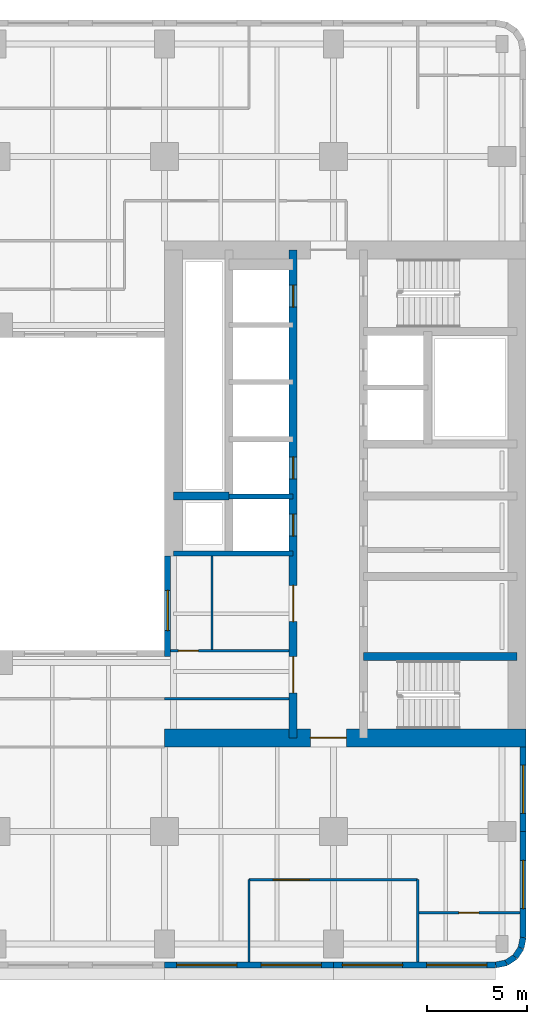
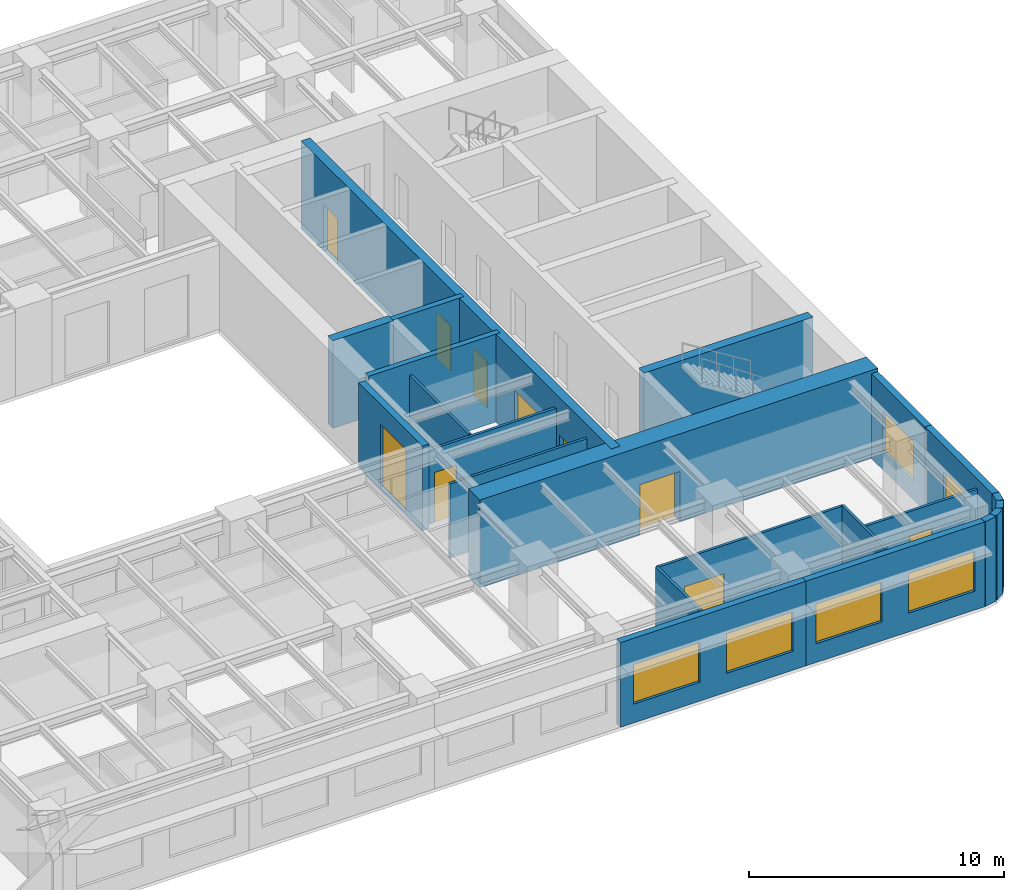
# One storey, part 5 of 11: 22 walls, 9 doors, 7 windows, 16 openings.
"""IFC4 building model written with IfcOpenShell, lengths in metres."""

from ifc_helpers import new_model, si_unit, direction, frame, frame_2d, origin, place, context, subcontext, project, spatial, rectangle, extrude, material, layer, layer_set, type_object, element, fill, save


model = new_model("IFC4")

# Units and contexts
model_context = context("Model", 3, precision=1e-05, world=origin(), true_north=direction((0.0, 1.0)))
body_context = subcontext(model_context, "Body", "Model", "MODEL_VIEW")
ifc_project = project(units=[si_unit("LENGTHUNIT", "METRE"), si_unit("AREAUNIT", "SQUARE_METRE"), si_unit("VOLUMEUNIT", "CUBIC_METRE"), si_unit("PLANEANGLEUNIT", "RADIAN"), si_unit("MASSUNIT", "GRAM", prefix="KILO")], contexts=[model_context])

# Site, building, storey
site_placement = place(None, origin())
site = spatial("IfcSite", under=ifc_project, at=site_placement, CompositionType="ELEMENT")
building_placement = place(site_placement, origin())
building = spatial("IfcBuilding", under=site, at=building_placement, Name="Claustro Exchange Tower", CompositionType="ELEMENT")
storey_placement = place(building_placement, frame((0.0, 0.0, 117.60009765625)))
storey = spatial("IfcBuildingStorey", under=building, at=storey_placement, Name="L26", CompositionType="ELEMENT", Elevation=117.60009765625)

# Wall, opening, door
ifc_material_1 = material(Name="Laminated glass in aluminium frame", Category="aluminium")
ifc_layer_1 = layer(ifc_material_1, 0.1201171875)
ifc_layer_set_1 = layer_set([ifc_layer_1], Name="Laminated glass in aluminium frame")
wall_type_1 = type_object("IfcWallType", Name="P2 120 glazed partition", PredefinedType="PARTITIONING", material=ifc_layer_set_1)
wall_1_placement = place(storey_placement, frame((33.89794921875, 17.39990234375, 0.0), z_axis=(0.0, 0.0, 1.0), x_axis=(1.0, 0.0, 0.0)))
wall_1 = element("IfcWall", 1, at=wall_1_placement, inside=storey, type_object=wall_type_1, Name="Partition P2 L26", PredefinedType="PARTITIONING", context=body_context, shape_type="SweptSolid", body=[
    extrude(rectangle(XDim=5.904052734375, YDim=0.1201171875, at=frame_2d((2.9521484375, 0.0))), origin(), (0.0, 0.0, 1.0), 3.5498046875),
])
opening_1_placement = place(wall_1_placement, frame((0.3798828125, 0.0, 0.0)))
opening_1 = element("IfcOpeningElement", 2, at=opening_1_placement, cuts=wall_1, Name="Opening D7", PredefinedType="OPENING", context=body_context, shape_type="SweptSolid", body=[
    extrude(rectangle(XDim=1.0, YDim=2.39990234375, at=frame_2d((0.5, 1.199951171875))), frame((0.0, 0.070068359375, 0.0), z_axis=(0.0, -1.0, 0.0), x_axis=(1.0, 0.0, 0.0)), (0.0, 0.0, 1.0), 0.14013671875),
])
ifc_material_2 = material(Name="Glass door in aluminium frame", Category="aluminium")
door_type_1 = type_object("IfcDoorType", Name="D7 1000 x 2400 glazed door", OperationType="SINGLE_SWING_LEFT", PredefinedType="DOOR", material=ifc_material_2)
door_1_placement = place(opening_1_placement, origin())
door_1 = element("IfcDoor", 3, at=door_1_placement, inside=storey, type_object=door_type_1, Name="Door D7 L26", OperationType="SINGLE_SWING_RIGHT", OverallHeight=2.39990234375, OverallWidth=1.0, PredefinedType="DOOR", context=body_context, shape_type="SweptSolid", body=[
    extrude(rectangle(XDim=1.0, YDim=2.39990234375, at=frame_2d((0.5, 1.199951171875))), frame((0.0, 0.02490234375, 0.0), z_axis=(0.0, -1.0, 0.0), x_axis=(1.0, 0.0, 0.0)), (0.0, 0.0, 1.0), 0.050048828125),
])
fill(opening_1, door_1)

# Wall
wall_2_placement = place(storey_placement, frame((35.9560546875, 17.4580078125, 0.0), z_axis=(0.0, 0.0, 1.0), x_axis=(0.0, 1.0, 0.0)))
element("IfcWall", 4, at=wall_2_placement, inside=storey, type_object=wall_type_1, Name="Partition P2 L26", PredefinedType="PARTITIONING", context=body_context, shape_type="SweptSolid", body=[
    extrude(rectangle(XDim=4.64404296875, YDim=0.1201171875, at=frame_2d((2.322021484375, 0.0))), origin(), (0.0, 0.0, 1.0), 3.599853515625),
])

# Wall, opening, door
wall_3_placement = place(storey_placement, frame((46.258056640625, 4.35009765625, 0.0), z_axis=(0.0, 0.0, 1.0), x_axis=(1.0, 0.0, 0.0)))
wall_3 = element("IfcWall", 5, at=wall_3_placement, inside=storey, type_object=wall_type_1, Name="Partition P2 L26", PredefinedType="PARTITIONING", context=body_context, shape_type="SweptSolid", body=[
    extrude(rectangle(XDim=5.0439453125, YDim=0.1201171875, at=frame_2d((2.52197265625, 0.0))), origin(), (0.0, 0.0, 1.0), 3.559814453125),
])
opening_2_placement = place(wall_3_placement, frame((1.991943359375, 0.0, 0.0)))
opening_2 = element("IfcOpeningElement", 6, at=opening_2_placement, cuts=wall_3, Name="Opening D7", PredefinedType="OPENING", context=body_context, shape_type="SweptSolid", body=[
    extrude(rectangle(XDim=1.0, YDim=2.39990234375, at=frame_2d((0.5, 1.199951171875))), frame((0.0, 0.070068359375, 0.0), z_axis=(0.0, -1.0, 0.0), x_axis=(1.0, 0.0, 0.0)), (0.0, 0.0, 1.0), 0.14013671875),
])
door_2_placement = place(opening_2_placement, frame((1.0, 0.0, 0.0), z_axis=(0.0, 0.0, 1.0), x_axis=(-1.0, 0.0, 0.0)))
door_2 = element("IfcDoor", 7, at=door_2_placement, inside=storey, type_object=door_type_1, Name="Door D7 L26", OperationType="SINGLE_SWING_RIGHT", OverallHeight=2.39990234375, OverallWidth=1.0, PredefinedType="DOOR", context=body_context, shape_type="SweptSolid", body=[
    extrude(rectangle(XDim=1.0, YDim=2.39990234375, at=frame_2d((0.5, 1.199951171875))), frame((0.0, 0.02490234375, 0.0), z_axis=(0.0, -1.0, 0.0), x_axis=(1.0, 0.0, 0.0)), (0.0, 0.0, 1.0), 0.050048828125),
])
fill(opening_2, door_2)

wall_4_placement = place(storey_placement, frame((37.800048828125, 6.0, 0.0), z_axis=(0.0, 0.0, 1.0), x_axis=(1.0, 0.0, 0.0)))
wall_4 = element("IfcWall", 8, at=wall_4_placement, inside=storey, type_object=wall_type_1, Name="Partition P2 L26", PredefinedType="PARTITIONING", context=body_context, shape_type="SweptSolid", body=[
    extrude(rectangle(XDim=8.39990234375, YDim=0.1201171875, at=frame_2d((4.199951171875, 0.0))), origin(), (0.0, 0.0, 1.0), 3.5498046875),
])
opening_3_placement = place(wall_4_placement, frame((1.199951171875, 0.0, 0.0)))
opening_3 = element("IfcOpeningElement", 9, at=opening_3_placement, cuts=wall_4, Name="Opening D2", PredefinedType="OPENING", context=body_context, shape_type="SweptSolid", body=[
    extrude(rectangle(XDim=1.800048828125, YDim=2.199951171875, at=frame_2d((0.89990234375, 1.10009765625))), frame((0.0, 0.070068359375, 0.0), z_axis=(0.0, -1.0, 0.0), x_axis=(1.0, 0.0, 0.0)), (0.0, 0.0, 1.0), 0.14013671875),
])
ifc_material_3 = material(Name="Timber door, oak veneer", Category="wood")
door_type_2 = type_object("IfcDoorType", Name="D2 1800 x 2200 double door", OperationType="DOUBLE_DOOR_SINGLE_SWING", PredefinedType="DOOR", material=ifc_material_3)
door_3_placement = place(opening_3_placement, frame((1.800048828125, 0.0, 0.0), z_axis=(0.0, 0.0, 1.0), x_axis=(-1.0, 0.0, 0.0)))
door_3 = element("IfcDoor", 10, at=door_3_placement, inside=storey, type_object=door_type_2, Name="Double door D2 L26", OperationType="DOUBLE_DOOR_SINGLE_SWING", OverallHeight=2.199951171875, OverallWidth=1.800048828125, PredefinedType="DOOR", context=body_context, shape_type="SweptSolid", body=[
    extrude(rectangle(XDim=1.800048828125, YDim=2.199951171875, at=frame_2d((0.89990234375, 1.10009765625))), frame((0.0, 0.02490234375, 0.0), z_axis=(0.0, -1.0, 0.0), x_axis=(1.0, 0.0, 0.0)), (0.0, 0.0, 1.0), 0.050048828125),
])
fill(opening_3, door_3)

# Walls
for number, where, z_axis, x_axis, name in (
    (11, (37.800048828125, 1.89794921875, 0.0), (0.0, 0.0, 1.0), (0.0, 1.0, 0.0), "Partition P2 L26"),
    (12, (46.199951171875, 1.89794921875, 0.0), (0.0, 0.0, 1.0), (0.0, 1.0, 0.0), "Partition P2 L26"),
):
    element("IfcWall", number, at=place(storey_placement, frame(where, z_axis=z_axis, x_axis=x_axis)), inside=storey, type_object=wall_type_1, Name=name, PredefinedType="PARTITIONING", context=body_context, shape_type="SweptSolid", body=[
        extrude(rectangle(XDim=4.10205078125, YDim=0.1201171875, at=frame_2d((2.051025390625, 0.0))), origin(), (0.0, 0.0, 1.0), 3.559814453125),
    ])
wall_5_placement = place(storey_placement, frame((33.597900390625, 15.0, 0.0), z_axis=(0.0, 0.0, 1.0), x_axis=(1.0, 0.0, 0.0)))
element("IfcWall", 13, at=wall_5_placement, inside=storey, type_object=wall_type_1, Name="Partition P2 L26", PredefinedType="PARTITIONING", context=body_context, shape_type="SweptSolid", body=[
    extrude(rectangle(XDim=6.2041015625, YDim=0.1201171875, at=frame_2d((3.10205078125, 0.0))), origin(), (0.0, 0.0, 1.0), 3.5498046875),
])

# Wall, openings, windows
ifc_material_4 = material(Name="Concrete HA-40 (C40/50), precast, white cement, acid-etched", Category="concrete")
ifc_layer_2 = layer(ifc_material_4, 0.300048828125)
ifc_layer_set_2 = layer_set([ifc_layer_2], Name="Concrete HA-40 (C40/50), precast, white cement, acid-etched")
wall_type_2 = type_object("IfcWallType", Name="PC1 300 precast concrete pier panel", PredefinedType="SOLIDWALL", material=ifc_layer_set_2)
wall_6_placement = place(storey_placement, frame((50.085205078125, 1.75, 0.0), z_axis=(0.0, 0.0, 1.0), x_axis=(-1.0, 0.0, 0.0)))
wall_6 = element("IfcWall", 14, at=wall_6_placement, inside=storey, type_object=wall_type_2, Name="Precast pier panel PC1 L26", PredefinedType="SOLIDWALL", context=body_context, shape_type="SweptSolid", body=[
    extrude(rectangle(XDim=8.085205078125, YDim=0.300048828125, at=frame_2d((4.04248046875, 0.0))), origin(), (0.0, 0.0, 1.0), 4.0498046875),
])
opening_4_placement = place(wall_6_placement, frame((0.442626953125, 0.0, 0.89990234375)))
opening_4 = element("IfcOpeningElement", 15, at=opening_4_placement, cuts=wall_6, Name="Opening W1", PredefinedType="OPENING", context=body_context, shape_type="SweptSolid", body=[
    extrude(rectangle(XDim=3.0, YDim=1.89990234375, at=frame_2d((1.5, 0.949951171875))), frame((0.0, 0.159912109375, 0.0), z_axis=(0.0, -1.0, 0.0), x_axis=(1.0, 0.0, 0.0)), (0.0, 0.0, 1.0), 0.320068359375),
])
opening_5_placement = place(wall_6_placement, frame((4.642578125, 0.0, 0.89990234375)))
opening_5 = element("IfcOpeningElement", 16, at=opening_5_placement, cuts=wall_6, Name="Opening W1", PredefinedType="OPENING", context=body_context, shape_type="SweptSolid", body=[
    extrude(rectangle(XDim=3.0, YDim=1.89990234375, at=frame_2d((1.5, 0.949951171875))), frame((0.0, 0.159912109375, 0.0), z_axis=(0.0, -1.0, 0.0), x_axis=(1.0, 0.0, 0.0)), (0.0, 0.0, 1.0), 0.320068359375),
])
ifc_material_5 = material(Name="Aluminium frame, clear double glazing", Category="aluminium")
window_type_1 = type_object("IfcWindowType", Name="W1 3000 x 1900 window", PartitioningType="SINGLE_PANEL", PredefinedType="WINDOW", material=ifc_material_5)
window_1_placement = place(opening_4_placement, origin())
window_1 = element("IfcWindow", 17, at=window_1_placement, inside=storey, type_object=window_type_1, Name="Window W1 L26", OverallHeight=1.89990234375, OverallWidth=3.0, PartitioningType="SINGLE_PANEL", PredefinedType="WINDOW", context=body_context, shape_type="SweptSolid", body=[
    extrude(rectangle(XDim=3.0, YDim=1.89990234375, at=frame_2d((1.5, 0.949951171875))), frame((0.0, 0.030029296875, 0.0), z_axis=(0.0, -1.0, 0.0), x_axis=(1.0, 0.0, 0.0)), (0.0, 0.0, 1.0), 0.06005859375),
])
fill(opening_4, window_1)
window_2_placement = place(opening_5_placement, origin())
window_2 = element("IfcWindow", 18, at=window_2_placement, inside=storey, type_object=window_type_1, Name="Window W1 L26", OverallHeight=1.89990234375, OverallWidth=3.0, PartitioningType="SINGLE_PANEL", PredefinedType="WINDOW", context=body_context, shape_type="SweptSolid", body=[
    extrude(rectangle(XDim=3.0, YDim=1.89990234375, at=frame_2d((1.5, 0.949951171875))), frame((0.0, 0.030029296875, 0.0), z_axis=(0.0, -1.0, 0.0), x_axis=(1.0, 0.0, 0.0)), (0.0, 0.0, 1.0), 0.06005859375),
])
fill(opening_5, window_2)

wall_7_placement = place(storey_placement, frame((42.0, 1.75, 0.0), z_axis=(0.0, 0.0, 1.0), x_axis=(-1.0, 0.0, 0.0)))
wall_7 = element("IfcWall", 19, at=wall_7_placement, inside=storey, type_object=wall_type_2, Name="Precast pier panel PC1 L26", PredefinedType="SOLIDWALL", context=body_context, shape_type="SweptSolid", body=[
    extrude(rectangle(XDim=8.39990234375, YDim=0.300048828125, at=frame_2d((4.199951171875, 0.0))), origin(), (0.0, 0.0, 1.0), 4.0498046875),
])
opening_6_placement = place(wall_7_placement, frame((0.60009765625, 0.0, 0.89990234375)))
opening_6 = element("IfcOpeningElement", 20, at=opening_6_placement, cuts=wall_7, Name="Opening W1", PredefinedType="OPENING", context=body_context, shape_type="SweptSolid", body=[
    extrude(rectangle(XDim=3.0, YDim=1.89990234375, at=frame_2d((1.5, 0.949951171875))), frame((0.0, 0.159912109375, 0.0), z_axis=(0.0, -1.0, 0.0), x_axis=(1.0, 0.0, 0.0)), (0.0, 0.0, 1.0), 0.320068359375),
])
opening_7_placement = place(wall_7_placement, frame((4.800048828125, 0.0, 0.89990234375)))
opening_7 = element("IfcOpeningElement", 21, at=opening_7_placement, cuts=wall_7, Name="Opening W1", PredefinedType="OPENING", context=body_context, shape_type="SweptSolid", body=[
    extrude(rectangle(XDim=3.0, YDim=1.89990234375, at=frame_2d((1.5, 0.949951171875))), frame((0.0, 0.159912109375, 0.0), z_axis=(0.0, -1.0, 0.0), x_axis=(1.0, 0.0, 0.0)), (0.0, 0.0, 1.0), 0.320068359375),
])
window_3_placement = place(opening_6_placement, origin())
window_3 = element("IfcWindow", 22, at=window_3_placement, inside=storey, type_object=window_type_1, Name="Window W1 L26", OverallHeight=1.89990234375, OverallWidth=3.0, PartitioningType="SINGLE_PANEL", PredefinedType="WINDOW", context=body_context, shape_type="SweptSolid", body=[
    extrude(rectangle(XDim=3.0, YDim=1.89990234375, at=frame_2d((1.5, 0.949951171875))), frame((0.0, 0.030029296875, 0.0), z_axis=(0.0, -1.0, 0.0), x_axis=(1.0, 0.0, 0.0)), (0.0, 0.0, 1.0), 0.06005859375),
])
fill(opening_6, window_3)
window_4_placement = place(opening_7_placement, origin())
window_4 = element("IfcWindow", 23, at=window_4_placement, inside=storey, type_object=window_type_1, Name="Window W1 L26", OverallHeight=1.89990234375, OverallWidth=3.0, PartitioningType="SINGLE_PANEL", PredefinedType="WINDOW", context=body_context, shape_type="SweptSolid", body=[
    extrude(rectangle(XDim=3.0, YDim=1.89990234375, at=frame_2d((1.5, 0.949951171875))), frame((0.0, 0.030029296875, 0.0), z_axis=(0.0, -1.0, 0.0), x_axis=(1.0, 0.0, 0.0)), (0.0, 0.0, 1.0), 0.06005859375),
])
fill(opening_7, window_4)

# Wall, opening, window
wall_8_placement = place(storey_placement, frame((51.449951171875, 12.60009765625, 0.0), z_axis=(0.0, 0.0, 1.0), x_axis=(0.0, -1.0, 0.0)))
wall_8 = element("IfcWall", 24, at=wall_8_placement, inside=storey, type_object=wall_type_2, Name="Precast pier panel PC1 L26", PredefinedType="SOLIDWALL", context=body_context, shape_type="SweptSolid", body=[
    extrude(rectangle(XDim=4.2001953125, YDim=0.300048828125, at=frame_2d((2.10009765625, 0.0))), origin(), (0.0, 0.0, 1.0), 4.0498046875),
])
opening_8_placement = place(wall_8_placement, frame((0.89990234375, 0.0, 0.89990234375)))
opening_8 = element("IfcOpeningElement", 25, at=opening_8_placement, cuts=wall_8, Name="Opening W2", PredefinedType="OPENING", context=body_context, shape_type="SweptSolid", body=[
    extrude(rectangle(XDim=2.39990234375, YDim=1.89990234375, at=frame_2d((1.199951171875, 0.949951171875))), frame((0.0, 0.159912109375, 0.0), z_axis=(0.0, -1.0, 0.0), x_axis=(1.0, 0.0, 0.0)), (0.0, 0.0, 1.0), 0.320068359375),
])
ifc_material_6 = material(Name="Aluminium frame, clear double glazing", Category="aluminium")
window_type_2 = type_object("IfcWindowType", Name="W2 2400 x 1900 window", PartitioningType="SINGLE_PANEL", PredefinedType="WINDOW", material=ifc_material_6)
window_5_placement = place(opening_8_placement, origin())
window_5 = element("IfcWindow", 26, at=window_5_placement, inside=storey, type_object=window_type_2, Name="Window W2 L26", OverallHeight=1.89990234375, OverallWidth=2.39990234375, PartitioningType="SINGLE_PANEL", PredefinedType="WINDOW", context=body_context, shape_type="SweptSolid", body=[
    extrude(rectangle(XDim=2.39990234375, YDim=1.89990234375, at=frame_2d((1.199951171875, 0.949951171875))), frame((0.0, 0.030029296875, 0.0), z_axis=(0.0, -1.0, 0.0), x_axis=(1.0, 0.0, 0.0)), (0.0, 0.0, 1.0), 0.06005859375),
])
fill(opening_8, window_5)

wall_9_placement = place(storey_placement, frame((51.449951171875, 8.39990234375, 0.0), z_axis=(0.0, 0.0, 1.0), x_axis=(0.0, -1.0, 0.0)))
wall_9 = element("IfcWall", 27, at=wall_9_placement, inside=storey, type_object=wall_type_2, Name="Precast pier panel PC1 L26", PredefinedType="SOLIDWALL", context=body_context, shape_type="SweptSolid", body=[
    extrude(rectangle(XDim=5.28515625, YDim=0.300048828125, at=frame_2d((2.642578125, 0.0))), origin(), (0.0, 0.0, 1.0), 4.0498046875),
])
opening_9_placement = place(wall_9_placement, frame((1.442626953125, 0.0, 0.89990234375)))
opening_9 = element("IfcOpeningElement", 28, at=opening_9_placement, cuts=wall_9, Name="Opening W2", PredefinedType="OPENING", context=body_context, shape_type="SweptSolid", body=[
    extrude(rectangle(XDim=2.39990234375, YDim=1.89990234375, at=frame_2d((1.199951171875, 0.949951171875))), frame((0.0, 0.159912109375, 0.0), z_axis=(0.0, -1.0, 0.0), x_axis=(1.0, 0.0, 0.0)), (0.0, 0.0, 1.0), 0.320068359375),
])
window_6_placement = place(opening_9_placement, origin())
window_6 = element("IfcWindow", 29, at=window_6_placement, inside=storey, type_object=window_type_2, Name="Window W2 L26", OverallHeight=1.89990234375, OverallWidth=2.39990234375, PartitioningType="SINGLE_PANEL", PredefinedType="WINDOW", context=body_context, shape_type="SweptSolid", body=[
    extrude(rectangle(XDim=2.39990234375, YDim=1.89990234375, at=frame_2d((1.199951171875, 0.949951171875))), frame((0.0, 0.030029296875, 0.0), z_axis=(0.0, -1.0, 0.0), x_axis=(1.0, 0.0, 0.0)), (0.0, 0.0, 1.0), 0.06005859375),
])
fill(opening_9, window_6)

# Walls
wall_10_placement = place(storey_placement, frame((51.449951171875, 3.11474609375, 0.0), z_axis=(0.0, 0.0, 1.0), x_axis=(-0.195073962632, -0.980788534345, 0.0)))
element("IfcWall", 30, at=wall_10_placement, inside=storey, type_object=wall_type_2, Name="Precast pier panel PC1 L26", PredefinedType="SOLIDWALL", context=body_context, shape_type="SweptSolid", body=[
    extrude(rectangle(XDim=0.540771484375, YDim=0.300048828125, at=frame_2d((0.2705078125, 0.0))), origin(), (0.0, 0.0, 1.0), 4.0498046875),
])
for number, where, z_axis, x_axis, name in (
    (31, (51.344482421875, 2.58447265625, 0.0), (0.0, 0.0, 1.0), (-0.555557463938, -0.831478144188, 0.0), "Precast pier panel PC1 L26"),
    (32, (51.052490234375, 2.1474609375, 0.0), (0.0, 0.0, 1.0), (-0.831478144188, -0.555557463938, 0.0), "Precast pier panel PC1 L26"),
):
    element("IfcWall", number, at=place(storey_placement, frame(where, z_axis=z_axis, x_axis=x_axis)), inside=storey, type_object=wall_type_2, Name=name, PredefinedType="SOLIDWALL", context=body_context, shape_type="SweptSolid", body=[
        extrude(rectangle(XDim=0.525634765625, YDim=0.300048828125, at=frame_2d((0.2626953125, 0.0))), origin(), (0.0, 0.0, 1.0), 4.0498046875),
    ])
wall_11_placement = place(storey_placement, frame((50.615478515625, 1.85546875, 0.0), z_axis=(0.0, 0.0, 1.0), x_axis=(-0.980788534345, -0.195073962632, 0.0)))
element("IfcWall", 33, at=wall_11_placement, inside=storey, type_object=wall_type_2, Name="Precast pier panel PC1 L26", PredefinedType="SOLIDWALL", context=body_context, shape_type="SweptSolid", body=[
    extrude(rectangle(XDim=0.540771484375, YDim=0.300048828125, at=frame_2d((0.2705078125, 0.0))), origin(), (0.0, 0.0, 1.0), 4.0498046875),
])

# Wall, opening, window
wall_12_placement = place(storey_placement, frame((33.75, 17.10009765625, 0.0), z_axis=(0.0, 0.0, 1.0), x_axis=(0.0, 1.0, 0.0)))
wall_12 = element("IfcWall", 34, at=wall_12_placement, inside=storey, type_object=wall_type_2, Name="Precast pier panel PC1 L26", PredefinedType="SOLIDWALL", context=body_context, shape_type="SweptSolid", body=[
    extrude(rectangle(XDim=5.0, YDim=0.300048828125, at=frame_2d((2.5, 0.0))), origin(), (0.0, 0.0, 1.0), 4.0498046875),
])
opening_10_placement = place(wall_12_placement, frame((1.300048828125, 0.0, 0.10009765625)))
opening_10 = element("IfcOpeningElement", 35, at=opening_10_placement, cuts=wall_12, Name="Opening W-A", PredefinedType="OPENING", context=body_context, shape_type="SweptSolid", body=[
    extrude(rectangle(XDim=2.0, YDim=3.0, at=frame_2d((1.0, 1.5))), frame((0.0, 0.159912109375, 0.0), z_axis=(0.0, -1.0, 0.0), x_axis=(1.0, 0.0, 0.0)), (0.0, 0.0, 1.0), 0.320068359375),
])
ifc_material_7 = material(Name="Aluminium frame, clear double glazing", Category="aluminium")
window_type_3 = type_object("IfcWindowType", Name="W-A 2000 x 3000 arcade window", PartitioningType="SINGLE_PANEL", PredefinedType="WINDOW", material=ifc_material_7)
window_7_placement = place(opening_10_placement, origin())
window_7 = element("IfcWindow", 36, at=window_7_placement, inside=storey, type_object=window_type_3, Name="Window W-A L26", OverallHeight=3.0, OverallWidth=2.0, PartitioningType="SINGLE_PANEL", PredefinedType="WINDOW", context=body_context, shape_type="SweptSolid", body=[
    extrude(rectangle(XDim=2.0, YDim=3.0, at=frame_2d((1.0, 1.5))), frame((0.0, 0.030029296875, 0.0), z_axis=(0.0, -1.0, 0.0), x_axis=(1.0, 0.0, 0.0)), (0.0, 0.0, 1.0), 0.06005859375),
])
fill(opening_10, window_7)

# Wall, opening, door
ifc_material_8 = material(Name="Concrete HA-70 (C70/85)", Category="concrete")
ifc_layer_3 = layer(ifc_material_8, 0.89990234375)
ifc_layer_set_3 = layer_set([ifc_layer_3], Name="Concrete HA-70 (C70/85)")
wall_type_3 = type_object("IfcWallType", Name="SW1 900 core shear wall", PredefinedType="SHEAR", material=ifc_layer_set_3)
wall_13_placement = place(storey_placement, frame((33.60009765625, 13.050048828125, 0.0), z_axis=(0.0, 0.0, 1.0), x_axis=(1.0, 0.0, 0.0)))
wall_13 = element("IfcWall", 37, at=wall_13_placement, inside=storey, type_object=wall_type_3, Name="Core wall SW1 E core S face L26", PredefinedType="SHEAR", context=body_context, shape_type="SweptSolid", body=[
    extrude(rectangle(XDim=18.0, YDim=0.89990234375, at=frame_2d((9.0, 0.0))), origin(), (0.0, 0.0, 1.0), 4.199951171875),
])
opening_11_placement = place(wall_13_placement, frame((7.25, 0.0, 0.0)))
opening_11 = element("IfcOpeningElement", 38, at=opening_11_placement, cuts=wall_13, Name="Opening D3", PredefinedType="OPENING", context=body_context, shape_type="SweptSolid", body=[
    extrude(rectangle(XDim=1.800048828125, YDim=2.39990234375, at=frame_2d((0.89990234375, 1.199951171875))), frame((0.0, 0.4599609375, 0.0), z_axis=(0.0, -1.0, 0.0), x_axis=(1.0, 0.0, 0.0)), (0.0, 0.0, 1.0), 0.919921875),
])
ifc_material_9 = material(Name="Steel fire door, painted", Category="steel")
door_type_3 = type_object("IfcDoorType", Name="D3 1800 x 2400 fire-rated lobby double door", OperationType="DOUBLE_DOOR_SINGLE_SWING", PredefinedType="DOOR", material=ifc_material_9)
door_4_placement = place(opening_11_placement, frame((1.800048828125, 0.0, 0.0), z_axis=(0.0, 0.0, 1.0), x_axis=(-1.0, 0.0, 0.0)))
door_4 = element("IfcDoor", 39, at=door_4_placement, inside=storey, type_object=door_type_3, Name="Lift lobby door D3 L26", OperationType="DOUBLE_DOOR_SINGLE_SWING", OverallHeight=2.39990234375, OverallWidth=1.800048828125, PredefinedType="DOOR", context=body_context, shape_type="SweptSolid", body=[
    extrude(rectangle(XDim=1.800048828125, YDim=2.39990234375, at=frame_2d((0.89990234375, 1.199951171875))), frame((0.0, 0.02490234375, 0.0), z_axis=(0.0, -1.0, 0.0), x_axis=(1.0, 0.0, 0.0)), (0.0, 0.0, 1.0), 0.050048828125),
])
fill(opening_11, door_4)

# Wall, openings, doors
ifc_material_10 = material(Name="Concrete HA-50 (C50/60)", Category="concrete")
ifc_layer_4 = layer(ifc_material_10, 0.39990234375)
ifc_layer_set_4 = layer_set([ifc_layer_4], Name="Concrete HA-50 (C50/60)")
wall_type_4 = type_object("IfcWallType", Name="SW4 400 internal core wall", PredefinedType="SHEAR", material=ifc_layer_set_4)
wall_14_placement = place(storey_placement, frame((40.0, 13.050048828125, 0.0), z_axis=(0.0, 0.0, 1.0), x_axis=(0.0, 1.0, 0.0)))
wall_14 = element("IfcWall", 40, at=wall_14_placement, inside=storey, type_object=wall_type_4, Name="Internal core wall SW4 E core L26", PredefinedType="SHEAR", context=body_context, shape_type="SweptSolid", body=[
    extrude(rectangle(XDim=24.300048828125, YDim=0.39990234375, at=frame_2d((12.14990234375, 0.0))), origin(), (0.0, 0.0, 1.0), 4.199951171875),
])
opening_12_placement = place(wall_14_placement, frame((10.050048828125, 0.0, 0.0)))
opening_12 = element("IfcOpeningElement", 41, at=opening_12_placement, cuts=wall_14, Name="Opening LD", PredefinedType="OPENING", context=body_context, shape_type="SweptSolid", body=[
    extrude(rectangle(XDim=1.10009765625, YDim=2.199951171875, at=frame_2d((0.550048828125, 1.10009765625))), frame((0.0, 0.2099609375, 0.0), z_axis=(0.0, -1.0, 0.0), x_axis=(1.0, 0.0, 0.0)), (0.0, 0.0, 1.0), 0.419921875),
])
opening_13_placement = place(wall_14_placement, frame((12.89990234375, 0.0, 0.0)))
opening_13 = element("IfcOpeningElement", 42, at=opening_13_placement, cuts=wall_14, Name="Opening LD", PredefinedType="OPENING", context=body_context, shape_type="SweptSolid", body=[
    extrude(rectangle(XDim=1.10009765625, YDim=2.199951171875, at=frame_2d((0.550048828125, 1.10009765625))), frame((0.0, 0.2099609375, 0.0), z_axis=(0.0, -1.0, 0.0), x_axis=(1.0, 0.0, 0.0)), (0.0, 0.0, 1.0), 0.419921875),
])
opening_14_placement = place(wall_14_placement, frame((21.449951171875, 0.0, 0.0)))
opening_14 = element("IfcOpeningElement", 43, at=opening_14_placement, cuts=wall_14, Name="Opening LD", PredefinedType="OPENING", context=body_context, shape_type="SweptSolid", body=[
    extrude(rectangle(XDim=1.10009765625, YDim=2.199951171875, at=frame_2d((0.550048828125, 1.10009765625))), frame((0.0, 0.2099609375, 0.0), z_axis=(0.0, -1.0, 0.0), x_axis=(1.0, 0.0, 0.0)), (0.0, 0.0, 1.0), 0.419921875),
])
opening_15_placement = place(wall_14_placement, frame((2.25, 0.0, 0.0)))
opening_15 = element("IfcOpeningElement", 44, at=opening_15_placement, cuts=wall_14, Name="Opening D3", PredefinedType="OPENING", context=body_context, shape_type="SweptSolid", body=[
    extrude(rectangle(XDim=1.800048828125, YDim=2.39990234375, at=frame_2d((0.89990234375, 1.199951171875))), frame((0.0, 0.2099609375, 0.0), z_axis=(0.0, -1.0, 0.0), x_axis=(1.0, 0.0, 0.0)), (0.0, 0.0, 1.0), 0.419921875),
])
opening_16_placement = place(wall_14_placement, frame((5.800048828125, 0.0, 0.0)))
opening_16 = element("IfcOpeningElement", 45, at=opening_16_placement, cuts=wall_14, Name="Opening D3", PredefinedType="OPENING", context=body_context, shape_type="SweptSolid", body=[
    extrude(rectangle(XDim=1.800048828125, YDim=2.39990234375, at=frame_2d((0.89990234375, 1.199951171875))), frame((0.0, 0.2099609375, 0.0), z_axis=(0.0, -1.0, 0.0), x_axis=(1.0, 0.0, 0.0)), (0.0, 0.0, 1.0), 0.419921875),
])
door_5_placement = place(opening_15_placement, frame((1.800048828125, 0.0, 0.0), z_axis=(0.0, 0.0, 1.0), x_axis=(-1.0, 0.0, 0.0)))
door_5 = element("IfcDoor", 46, at=door_5_placement, inside=storey, type_object=door_type_3, Name="Core zone door D3 L26", OperationType="DOUBLE_DOOR_SINGLE_SWING", OverallHeight=2.39990234375, OverallWidth=1.800048828125, PredefinedType="DOOR", context=body_context, shape_type="SweptSolid", body=[
    extrude(rectangle(XDim=1.800048828125, YDim=2.39990234375, at=frame_2d((0.89990234375, 1.199951171875))), frame((0.0, 0.02490234375, 0.0), z_axis=(0.0, -1.0, 0.0), x_axis=(1.0, 0.0, 0.0)), (0.0, 0.0, 1.0), 0.050048828125),
])
fill(opening_15, door_5)
door_6_placement = place(opening_16_placement, origin())
door_6 = element("IfcDoor", 47, at=door_6_placement, inside=storey, type_object=door_type_3, Name="Core zone door D3 L26", OperationType="DOUBLE_DOOR_SINGLE_SWING", OverallHeight=2.39990234375, OverallWidth=1.800048828125, PredefinedType="DOOR", context=body_context, shape_type="SweptSolid", body=[
    extrude(rectangle(XDim=1.800048828125, YDim=2.39990234375, at=frame_2d((0.89990234375, 1.199951171875))), frame((0.0, 0.02490234375, 0.0), z_axis=(0.0, -1.0, 0.0), x_axis=(1.0, 0.0, 0.0)), (0.0, 0.0, 1.0), 0.050048828125),
])
fill(opening_16, door_6)
ifc_material_11 = material(Name="Stainless steel sliding door", Category="steel")
door_type_4 = type_object("IfcDoorType", Name="LD 1100 x 2200 lift landing door", OperationType="DOUBLE_DOOR_SLIDING", PredefinedType="DOOR", material=ifc_material_11)
door_7_placement = place(opening_12_placement, origin())
door_7 = element("IfcDoor", 48, at=door_7_placement, inside=storey, type_object=door_type_4, Name="Lift landing door LME1 LD L26", OperationType="DOUBLE_DOOR_SLIDING", OverallHeight=2.199951171875, OverallWidth=1.10009765625, PredefinedType="DOOR", context=body_context, shape_type="SweptSolid", body=[
    extrude(rectangle(XDim=1.10009765625, YDim=2.199951171875, at=frame_2d((0.550048828125, 1.10009765625))), frame((0.0, 0.02490234375, 0.0), z_axis=(0.0, -1.0, 0.0), x_axis=(1.0, 0.0, 0.0)), (0.0, 0.0, 1.0), 0.050048828125),
])
fill(opening_12, door_7)
door_8_placement = place(opening_13_placement, origin())
door_8 = element("IfcDoor", 49, at=door_8_placement, inside=storey, type_object=door_type_4, Name="Lift landing door LME2 LD L26", OperationType="DOUBLE_DOOR_SLIDING", OverallHeight=2.199951171875, OverallWidth=1.10009765625, PredefinedType="DOOR", context=body_context, shape_type="SweptSolid", body=[
    extrude(rectangle(XDim=1.10009765625, YDim=2.199951171875, at=frame_2d((0.550048828125, 1.10009765625))), frame((0.0, 0.02490234375, 0.0), z_axis=(0.0, -1.0, 0.0), x_axis=(1.0, 0.0, 0.0)), (0.0, 0.0, 1.0), 0.050048828125),
])
fill(opening_13, door_8)
door_9_placement = place(opening_14_placement, origin())
door_9 = element("IfcDoor", 50, at=door_9_placement, inside=storey, type_object=door_type_4, Name="Lift landing door LSE1 LD L26", OperationType="DOUBLE_DOOR_SLIDING", OverallHeight=2.199951171875, OverallWidth=1.10009765625, PredefinedType="DOOR", context=body_context, shape_type="SweptSolid", body=[
    extrude(rectangle(XDim=1.10009765625, YDim=2.199951171875, at=frame_2d((0.550048828125, 1.10009765625))), frame((0.0, 0.02490234375, 0.0), z_axis=(0.0, -1.0, 0.0), x_axis=(1.0, 0.0, 0.0)), (0.0, 0.0, 1.0), 0.050048828125),
])
fill(opening_14, door_9)

# Walls
wall_15_placement = place(storey_placement, frame((51.14990234375, 17.10009765625, 0.0), z_axis=(0.0, 0.0, 1.0), x_axis=(-1.0, 0.0, 0.0)))
element("IfcWall", 51, at=wall_15_placement, inside=storey, type_object=wall_type_4, Name="Internal core wall SW4 E core L26", PredefinedType="SHEAR", context=body_context, shape_type="SweptSolid", body=[
    extrude(rectangle(XDim=7.64990234375, YDim=0.39990234375, at=frame_2d((3.824951171875, 0.0))), origin(), (0.0, 0.0, 1.0), 4.199951171875),
])
wall_16_placement = place(storey_placement, frame((36.800048828125, 25.10009765625, 0.0), z_axis=(0.0, 0.0, 1.0), x_axis=(-1.0, 0.0, 0.0)))
element("IfcWall", 52, at=wall_16_placement, inside=storey, type_object=wall_type_4, Name="Internal core wall SW4 E core L26", PredefinedType="SHEAR", context=body_context, shape_type="SweptSolid", body=[
    extrude(rectangle(XDim=2.75, YDim=0.39990234375, at=frame_2d((1.375, 0.0))), origin(), (0.0, 0.0, 1.0), 4.199951171875),
])
ifc_material_12 = material(Name="Concrete HA-50 (C50/60)", Category="concrete")
ifc_layer_5 = layer(ifc_material_12, 0.25)
ifc_layer_set_5 = layer_set([ifc_layer_5], Name="Concrete HA-50 (C50/60)")
wall_type_5 = type_object("IfcWallType", Name="SW5 250 lift shaft divider wall", PredefinedType="SHEAR", material=ifc_layer_set_5)
wall_17_placement = place(storey_placement, frame((40.0, 22.22509765625, 0.0), z_axis=(0.0, 0.0, 1.0), x_axis=(-1.0, 0.0, 0.0)))
element("IfcWall", 53, at=wall_17_placement, inside=storey, type_object=wall_type_5, Name="Core step wall E core L26", PredefinedType="SHEAR", context=body_context, shape_type="SweptSolid", body=[
    extrude(rectangle(XDim=5.949951171875, YDim=0.25, at=frame_2d((2.97509765625, 0.0))), origin(), (0.0, 0.0, 1.0), 4.199951171875),
])
wall_18_placement = place(storey_placement, frame((40.0, 25.074951171875, 0.0), z_axis=(0.0, 0.0, 1.0), x_axis=(-1.0, 0.0, 0.0)))
element("IfcWall", 54, at=wall_18_placement, inside=storey, type_object=wall_type_5, Name="Lift shaft wall E core L26", PredefinedType="SHEAR", context=body_context, shape_type="SweptSolid", body=[
    extrude(rectangle(XDim=3.199951171875, YDim=0.25, at=frame_2d((1.60009765625, 0.0))), origin(), (0.0, 0.0, 1.0), 4.199951171875),
])

save(model, "model.ifc")
